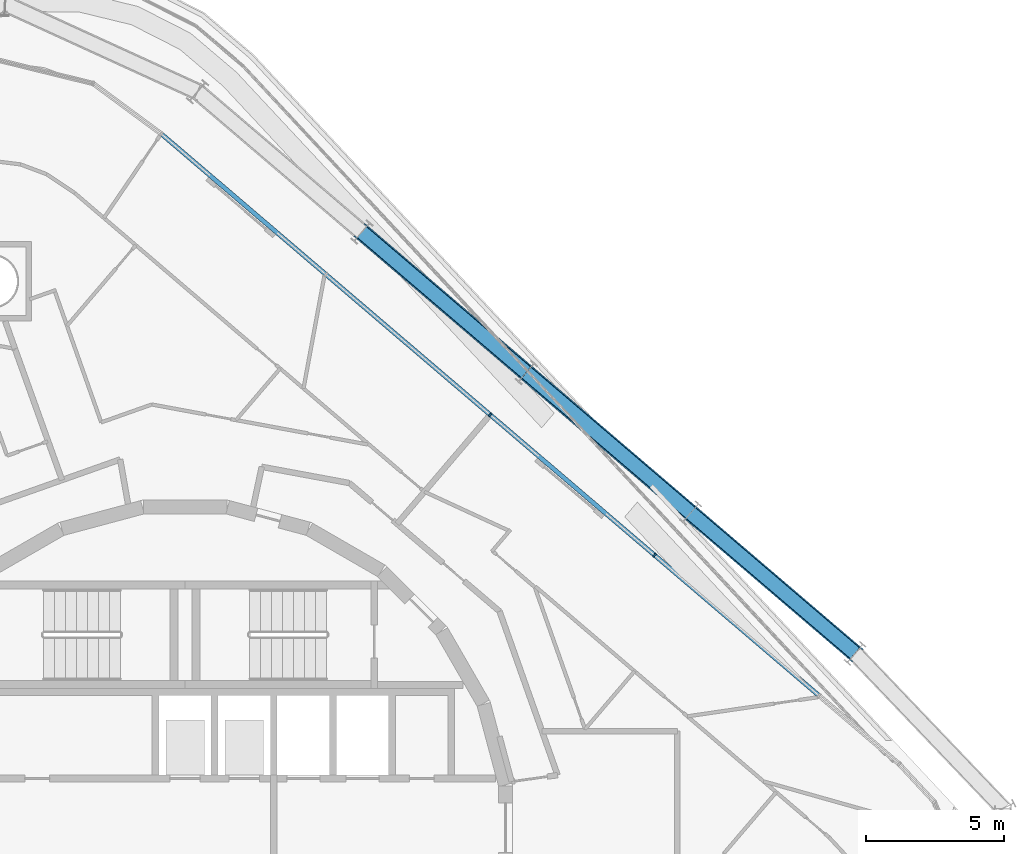
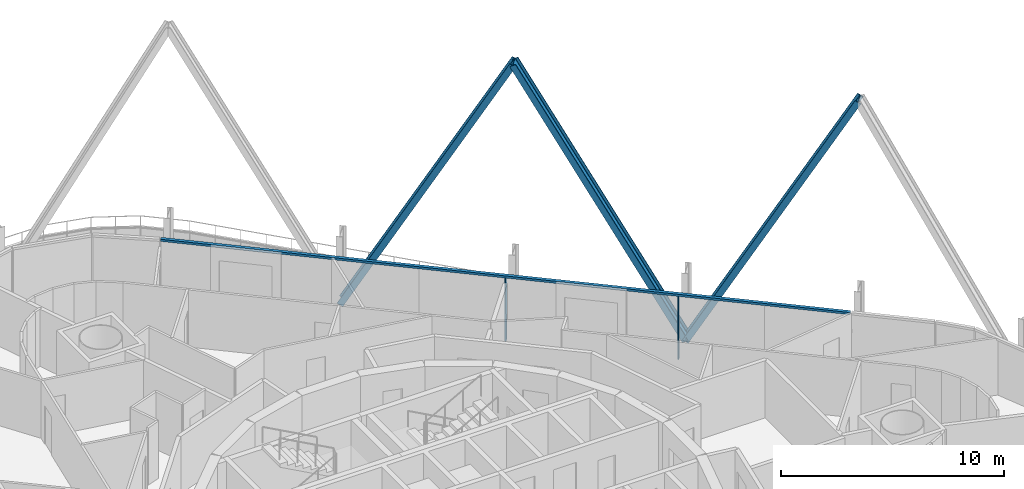
# One storey, part 8 of 25: 6 members, 1 element without a shape of its own.
"""IFC4 building model written with IfcOpenShell, lengths in metres."""

from ifc_helpers import new_model, si_unit, direction, frame, origin, origin_2d, place, context, subcontext, project, spatial, rectangle, i_section, extrude, material, layer, layer_set, material_profile, profile_set, type_object, element, aggregate, save


model = new_model("IFC4")

# Units and contexts
model_context = context("Model", 3, precision=1e-05, world=origin(), true_north=direction((0.0, 1.0)))
body_context = subcontext(model_context, "Body", "Model", "MODEL_VIEW")
ifc_project = project(units=[si_unit("LENGTHUNIT", "METRE"), si_unit("AREAUNIT", "SQUARE_METRE"), si_unit("VOLUMEUNIT", "CUBIC_METRE"), si_unit("PLANEANGLEUNIT", "RADIAN"), si_unit("MASSUNIT", "GRAM", prefix="KILO")], contexts=[model_context])

# Site, building, storey
site_placement = place(None, origin())
site = spatial("IfcSite", under=ifc_project, at=site_placement, CompositionType="ELEMENT")
building_placement = place(site_placement, origin())
building = spatial("IfcBuilding", under=site, at=building_placement, Name="Spindle Arch Residences", CompositionType="ELEMENT")
storey_placement = place(building_placement, frame((0.0, 0.0, 151.699951171875)))
storey = spatial("IfcBuildingStorey", under=building, at=storey_placement, Name="L37", CompositionType="ELEMENT", Elevation=151.699951171875)

# Curtain wall, members
ifc_material_1 = material(Name="Aluminium bronze unitised frame with tinted glass", Category="aluminium")
ifc_layer = layer(ifc_material_1, 0.159912109375)
ifc_layer_set = layer_set([ifc_layer], Name="CW-C typical residential unitised wall")
curtain_wall_type = type_object("IfcCurtainWallType", Name="CW-C typical residential unitised wall", PredefinedType="NOTDEFINED", material=ifc_layer_set)
curtain_wall_placement = place(storey_placement, origin())
curtain_wall = element("IfcCurtainWall", 1, at=curtain_wall_placement, inside=storey, type_object=curtain_wall_type, Name="CW-C L37 run 2", PredefinedType="NOTDEFINED")
ifc_material_2 = material(Name="Aluminium bronze anodised mullion", Category="aluminium")
ifc_material_profile_1 = material_profile(ifc_material_2, rectangle(XDim=0.159912109375, YDim=0.06005859375, at=origin_2d()), Name="MU 60x160")
ifc_profile_set_1 = profile_set([ifc_material_profile_1], Name="Aluminium bronze anodised mullion")
member_type_1 = type_object("IfcMemberType", Name="Bronze mullion 60x160", PredefinedType="MULLION", material=ifc_profile_set_1)
member_1_placement = place(storey_placement, frame((17.06884765625, 9.8994140625, -0.449951171875), z_axis=(0.0, 0.0, 1.0), x_axis=(-0.64944804833, -0.7604059656, 0.0)))
member_1 = element("IfcMember", 2, at=member_1_placement, type_object=member_type_1, Name="CW-C mullion 06", PredefinedType="MULLION", context=body_context, shape_type="SweptSolid", body=[
    extrude(rectangle(XDim=0.159912109375, YDim=0.06005859375, at=origin_2d()), origin(), (0.0, 0.0, 1.0), 3.449951171875),
])
member_2_placement = place(storey_placement, frame((11.092041015625, 15.004150390625, -0.449951171875), z_axis=(0.0, 0.0, 1.0), x_axis=(-0.64944804833, -0.7604059656, 0.0)))
member_2 = element("IfcMember", 3, at=member_2_placement, type_object=member_type_1, Name="CW-C mullion 07", PredefinedType="MULLION", context=body_context, shape_type="SweptSolid", body=[
    extrude(rectangle(XDim=0.159912109375, YDim=0.06005859375, at=origin_2d()), origin(), (0.0, 0.0, 1.0), 3.449951171875),
])
ifc_material_3 = material(Name="Aluminium bronze anodised transom", Category="aluminium")
ifc_material_profile_2 = material_profile(ifc_material_3, rectangle(XDim=0.159912109375, YDim=0.1201171875, at=origin_2d()), Name="TR 120x160")
ifc_profile_set_2 = profile_set([ifc_material_profile_2], Name="Aluminium bronze anodised transom")
member_type_2 = type_object("IfcMemberType", Name="Bronze transom 120x160", PredefinedType="USERDEFINED", material=ifc_profile_set_2)
member_3_placement = place(storey_placement, frame((23.02294921875, 4.814208984375, 3.06005859375), z_axis=(-0.760406495952, 0.649447427368, 0.0), x_axis=(-0.649447427368, -0.760406495952, 0.0)))
member_3 = element("IfcMember", 4, at=member_3_placement, type_object=member_type_2, Name="CW-C transom 00", ObjectType="TRANSOM", PredefinedType="USERDEFINED", context=body_context, shape_type="SweptSolid", body=[
    extrude(rectangle(XDim=0.159912109375, YDim=0.1201171875, at=origin_2d()), origin(), (0.0, 0.0, 1.0), 31.38037109375),
])
aggregate(curtain_wall, [member_3, member_1, member_2])

# Members
ifc_material_4 = material(Name="Steel S460ML, intumescent coating R 240", Category="steel")
ifc_material_profile_3 = material_profile(ifc_material_4, i_section(OverallWidth=0.304931640625, OverallDepth=0.6201171875, WebThickness=0.02099609375, FlangeThickness=0.0400390625, FilletRadius=0.027099609375, at=origin_2d()), Name="HEM 600")
ifc_profile_set_3 = profile_set([ifc_material_profile_3], Name="Steel S460ML, intumescent coating R 240")
member_type_3 = type_object("IfcMemberType", Name="Diagrid diagonal HEM 600", PredefinedType="BRACE", material=ifc_profile_set_3)
for number, where, z_axis, x_axis, name in (
    (5, (18.380615234375, 11.435546875, -0.699951171875), (0.370859085335, -0.316734442254, 0.873007922023), (-0.663848511182, 0.566963831399, 0.487706026297), "Diagrid diagonal 4.1.6"),
    (6, (18.380615234375, 11.435546875, -0.699951171875), (-0.370846020425, 0.316736221603, 0.8730128264), (0.66384080349, -0.56698040767, 0.487697247214), "Diagrid diagonal 4.1.7"),
    (7, (6.427001953125, 21.64501953125, -0.699951171875), (0.370846020425, -0.316736221603, 0.8730128264), (-0.66384080349, 0.56698040767, 0.487697247214), "Diagrid diagonal 4.1.8"),
):
    element("IfcMember", number, at=place(storey_placement, frame(where, z_axis=z_axis, x_axis=x_axis)), inside=storey, type_object=member_type_3, Name=name, PredefinedType="BRACE", context=body_context, shape_type="SweptSolid", body=[
        extrude(i_section(OverallWidth=0.304931640625, OverallDepth=0.6201171875, WebThickness=0.02099609375, FlangeThickness=0.0400390625, FilletRadius=0.027099609375, at=origin_2d()), origin(), (0.0, 0.0, 1.0), 16.11669921875),
    ])

save(model, "model.ifc")
